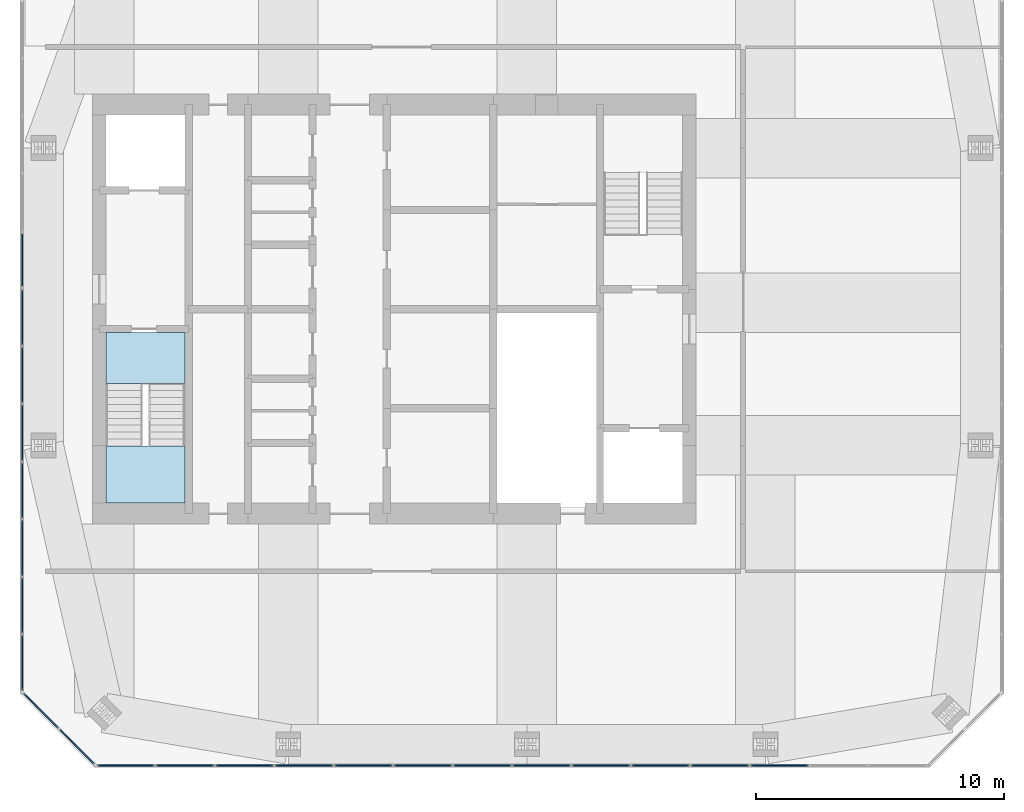
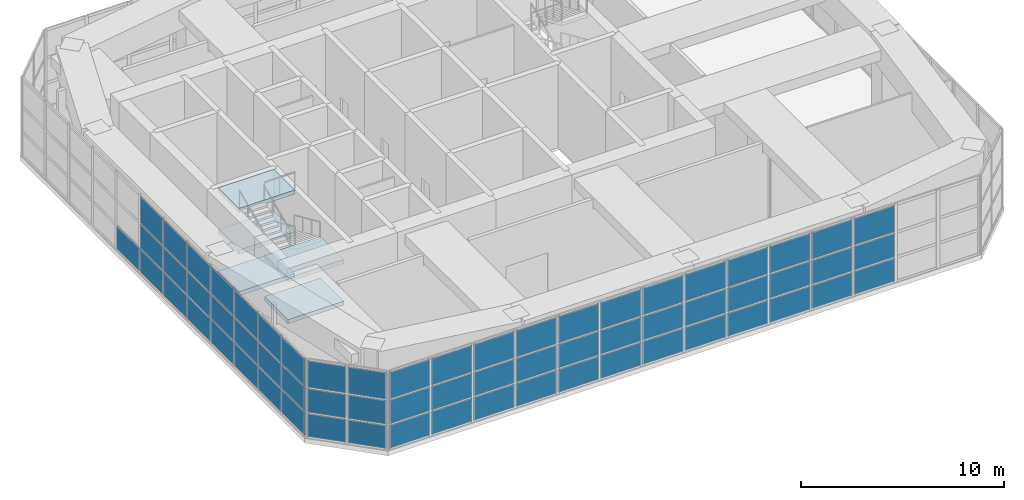
# One storey, part 8 of 14: 64 plates, 5 slabs, 4 elements without a shape of their own.
"""IFC4 building model written with IfcOpenShell, lengths in metres."""

from ifc_helpers import new_model, si_unit, direction, frame, origin, origin_2d, place, context, subcontext, project, spatial, polyline, rectangle, outline, extrude, material, layer, layer_set, type_object, element, aggregate, save


model = new_model("IFC4")

# Units and contexts
model_context = context("Model", 3, precision=1e-05, world=origin(), true_north=direction((0.0, 1.0)))
body_context = subcontext(model_context, "Body", "Model", "MODEL_VIEW")
ifc_project = project(units=[si_unit("LENGTHUNIT", "METRE"), si_unit("AREAUNIT", "SQUARE_METRE"), si_unit("VOLUMEUNIT", "CUBIC_METRE"), si_unit("PLANEANGLEUNIT", "RADIAN"), si_unit("MASSUNIT", "GRAM", prefix="KILO")], contexts=[model_context])

# Site, building, storey
site_placement = place(None, origin())
site = spatial("IfcSite", under=ifc_project, at=site_placement, CompositionType="ELEMENT")
building_placement = place(site_placement, origin())
building = spatial("IfcBuilding", under=site, at=building_placement, Name="Jalousie Tower", CompositionType="ELEMENT")
storey_placement = place(building_placement, frame((0.0, 0.0, 272.75)))
storey = spatial("IfcBuildingStorey", under=building, at=storey_placement, Name="L74", CompositionType="ELEMENT", Elevation=272.75)

# Curtain wall, plates
ifc_material_1 = material(Name="Aluminium curtain wall", Category="aluminium")
curtain_wall_type = type_object("IfcCurtainWallType", Name="CROWN LOUVRE WALL", PredefinedType="USERDEFINED", material=ifc_material_1)
curtain_wall_1_placement = place(storey_placement, origin())
curtain_wall_1 = element("IfcCurtainWall", 1, at=curtain_wall_1_placement, inside=storey, type_object=curtain_wall_type, Name="Crown Louvre Wall L74 1", ObjectType="CROWN LOUVRE WALL", PredefinedType="USERDEFINED")
ifc_material_2 = material(Name="Aluminium storm louvre panel", Category="aluminium")
ifc_layer_1 = layer(ifc_material_2, 0.050048828125)
ifc_layer_set_1 = layer_set([ifc_layer_1], Name="Aluminium storm louvre panel")
plate_type = type_object("IfcPlateType", Name="CROWN LOUVRE WALL PANEL", PredefinedType="CURTAIN_PANEL", material=ifc_layer_set_1)
plate_1_placement = place(storey_placement, frame((21.0712890625, 0.08740234375, 0.080078125), z_axis=(0.0, 0.0, 1.0), x_axis=(1.0, 0.0, 0.0)))
plate_1 = element("IfcPlate", 2, at=plate_1_placement, type_object=plate_type, Name="CW-L panel 1.1", PredefinedType="CURTAIN_PANEL", context=body_context, shape_type="SweptSolid", body=[
    extrude(rectangle(XDim=2.27978515625, YDim=0.050048828125, at=origin_2d()), origin(), (0.0, 0.0, 1.0), 1.3798828125),
])
plate_2_placement = place(storey_placement, frame((21.0712890625, 0.08740234375, 1.5400390625), z_axis=(0.0, 0.0, 1.0), x_axis=(1.0, 0.0, 0.0)))
plate_2 = element("IfcPlate", 3, at=plate_2_placement, type_object=plate_type, Name="CW-L panel 1.2", PredefinedType="CURTAIN_PANEL", context=body_context, shape_type="SweptSolid", body=[
    extrude(rectangle(XDim=2.27978515625, YDim=0.050048828125, at=origin_2d()), origin(), (0.0, 0.0, 1.0), 1.419921875),
])
plate_3_placement = place(storey_placement, frame((21.0712890625, 0.08740234375, 3.0400390625), z_axis=(0.0, 0.0, 1.0), x_axis=(1.0, 0.0, 0.0)))
plate_3 = element("IfcPlate", 4, at=plate_3_placement, type_object=plate_type, Name="CW-L panel 1.3", PredefinedType="CURTAIN_PANEL", context=body_context, shape_type="SweptSolid", body=[
    extrude(rectangle(XDim=2.27978515625, YDim=0.050048828125, at=origin_2d()), origin(), (0.0, 0.0, 1.0), 1.60009765625),
])
plate_4_placement = place(storey_placement, frame((23.450927734375, 0.08740234375, 0.080078125), z_axis=(0.0, 0.0, 1.0), x_axis=(1.0, 0.0, 0.0)))
plate_4 = element("IfcPlate", 5, at=plate_4_placement, type_object=plate_type, Name="CW-L panel 2.1", PredefinedType="CURTAIN_PANEL", context=body_context, shape_type="SweptSolid", body=[
    extrude(rectangle(XDim=2.31982421875, YDim=0.050048828125, at=origin_2d()), origin(), (0.0, 0.0, 1.0), 1.3798828125),
])
plate_5_placement = place(storey_placement, frame((23.450927734375, 0.08740234375, 1.5400390625), z_axis=(0.0, 0.0, 1.0), x_axis=(1.0, 0.0, 0.0)))
plate_5 = element("IfcPlate", 6, at=plate_5_placement, type_object=plate_type, Name="CW-L panel 2.2", PredefinedType="CURTAIN_PANEL", context=body_context, shape_type="SweptSolid", body=[
    extrude(rectangle(XDim=2.31982421875, YDim=0.050048828125, at=origin_2d()), origin(), (0.0, 0.0, 1.0), 1.419921875),
])
plate_6_placement = place(storey_placement, frame((23.450927734375, 0.08740234375, 3.0400390625), z_axis=(0.0, 0.0, 1.0), x_axis=(1.0, 0.0, 0.0)))
plate_6 = element("IfcPlate", 7, at=plate_6_placement, type_object=plate_type, Name="CW-L panel 2.3", PredefinedType="CURTAIN_PANEL", context=body_context, shape_type="SweptSolid", body=[
    extrude(rectangle(XDim=2.31982421875, YDim=0.050048828125, at=origin_2d()), origin(), (0.0, 0.0, 1.0), 1.60009765625),
])
plate_7_placement = place(storey_placement, frame((25.850830078125, 0.08740234375, 0.080078125), z_axis=(0.0, 0.0, 1.0), x_axis=(1.0, 0.0, 0.0)))
plate_7 = element("IfcPlate", 8, at=plate_7_placement, type_object=plate_type, Name="CW-L panel 3.1", PredefinedType="CURTAIN_PANEL", context=body_context, shape_type="SweptSolid", body=[
    extrude(rectangle(XDim=2.31982421875, YDim=0.050048828125, at=origin_2d()), origin(), (0.0, 0.0, 1.0), 1.3798828125),
])
plate_8_placement = place(storey_placement, frame((25.850830078125, 0.08740234375, 1.5400390625), z_axis=(0.0, 0.0, 1.0), x_axis=(1.0, 0.0, 0.0)))
plate_8 = element("IfcPlate", 9, at=plate_8_placement, type_object=plate_type, Name="CW-L panel 3.2", PredefinedType="CURTAIN_PANEL", context=body_context, shape_type="SweptSolid", body=[
    extrude(rectangle(XDim=2.31982421875, YDim=0.050048828125, at=origin_2d()), origin(), (0.0, 0.0, 1.0), 1.419921875),
])
plate_9_placement = place(storey_placement, frame((25.850830078125, 0.08740234375, 3.0400390625), z_axis=(0.0, 0.0, 1.0), x_axis=(1.0, 0.0, 0.0)))
plate_9 = element("IfcPlate", 10, at=plate_9_placement, type_object=plate_type, Name="CW-L panel 3.3", PredefinedType="CURTAIN_PANEL", context=body_context, shape_type="SweptSolid", body=[
    extrude(rectangle(XDim=2.31982421875, YDim=0.050048828125, at=origin_2d()), origin(), (0.0, 0.0, 1.0), 1.60009765625),
])
plate_10_placement = place(storey_placement, frame((28.250732421875, 0.08740234375, 0.080078125), z_axis=(0.0, 0.0, 1.0), x_axis=(1.0, 0.0, 0.0)))
plate_10 = element("IfcPlate", 11, at=plate_10_placement, type_object=plate_type, Name="CW-L panel 4.1", PredefinedType="CURTAIN_PANEL", context=body_context, shape_type="SweptSolid", body=[
    extrude(rectangle(XDim=2.31982421875, YDim=0.050048828125, at=origin_2d()), origin(), (0.0, 0.0, 1.0), 1.3798828125),
])
plate_11_placement = place(storey_placement, frame((28.250732421875, 0.08740234375, 1.5400390625), z_axis=(0.0, 0.0, 1.0), x_axis=(1.0, 0.0, 0.0)))
plate_11 = element("IfcPlate", 12, at=plate_11_placement, type_object=plate_type, Name="CW-L panel 4.2", PredefinedType="CURTAIN_PANEL", context=body_context, shape_type="SweptSolid", body=[
    extrude(rectangle(XDim=2.31982421875, YDim=0.050048828125, at=origin_2d()), origin(), (0.0, 0.0, 1.0), 1.419921875),
])
plate_12_placement = place(storey_placement, frame((28.250732421875, 0.08740234375, 3.0400390625), z_axis=(0.0, 0.0, 1.0), x_axis=(1.0, 0.0, 0.0)))
plate_12 = element("IfcPlate", 13, at=plate_12_placement, type_object=plate_type, Name="CW-L panel 4.3", PredefinedType="CURTAIN_PANEL", context=body_context, shape_type="SweptSolid", body=[
    extrude(rectangle(XDim=2.31982421875, YDim=0.050048828125, at=origin_2d()), origin(), (0.0, 0.0, 1.0), 1.60009765625),
])
plate_13_placement = place(storey_placement, frame((30.650390625, 0.08740234375, 0.080078125), z_axis=(0.0, 0.0, 1.0), x_axis=(1.0, 0.0, 0.0)))
plate_13 = element("IfcPlate", 14, at=plate_13_placement, type_object=plate_type, Name="CW-L panel 5.1", PredefinedType="CURTAIN_PANEL", context=body_context, shape_type="SweptSolid", body=[
    extrude(rectangle(XDim=2.31982421875, YDim=0.050048828125, at=origin_2d()), origin(), (0.0, 0.0, 1.0), 1.3798828125),
])
plate_14_placement = place(storey_placement, frame((30.650390625, 0.08740234375, 1.5400390625), z_axis=(0.0, 0.0, 1.0), x_axis=(1.0, 0.0, 0.0)))
plate_14 = element("IfcPlate", 15, at=plate_14_placement, type_object=plate_type, Name="CW-L panel 5.2", PredefinedType="CURTAIN_PANEL", context=body_context, shape_type="SweptSolid", body=[
    extrude(rectangle(XDim=2.31982421875, YDim=0.050048828125, at=origin_2d()), origin(), (0.0, 0.0, 1.0), 1.419921875),
])
plate_15_placement = place(storey_placement, frame((30.650390625, 0.08740234375, 3.0400390625), z_axis=(0.0, 0.0, 1.0), x_axis=(1.0, 0.0, 0.0)))
plate_15 = element("IfcPlate", 16, at=plate_15_placement, type_object=plate_type, Name="CW-L panel 5.3", PredefinedType="CURTAIN_PANEL", context=body_context, shape_type="SweptSolid", body=[
    extrude(rectangle(XDim=2.31982421875, YDim=0.050048828125, at=origin_2d()), origin(), (0.0, 0.0, 1.0), 1.60009765625),
])
plate_16_placement = place(storey_placement, frame((33.05029296875, 0.08740234375, 0.080078125), z_axis=(0.0, 0.0, 1.0), x_axis=(1.0, 0.0, 0.0)))
plate_16 = element("IfcPlate", 17, at=plate_16_placement, type_object=plate_type, Name="CW-L panel 6.1", PredefinedType="CURTAIN_PANEL", context=body_context, shape_type="SweptSolid", body=[
    extrude(rectangle(XDim=2.31982421875, YDim=0.050048828125, at=origin_2d()), origin(), (0.0, 0.0, 1.0), 1.3798828125),
])
plate_17_placement = place(storey_placement, frame((33.05029296875, 0.08740234375, 1.5400390625), z_axis=(0.0, 0.0, 1.0), x_axis=(1.0, 0.0, 0.0)))
plate_17 = element("IfcPlate", 18, at=plate_17_placement, type_object=plate_type, Name="CW-L panel 6.2", PredefinedType="CURTAIN_PANEL", context=body_context, shape_type="SweptSolid", body=[
    extrude(rectangle(XDim=2.31982421875, YDim=0.050048828125, at=origin_2d()), origin(), (0.0, 0.0, 1.0), 1.419921875),
])
plate_18_placement = place(storey_placement, frame((33.05029296875, 0.08740234375, 3.0400390625), z_axis=(0.0, 0.0, 1.0), x_axis=(1.0, 0.0, 0.0)))
plate_18 = element("IfcPlate", 19, at=plate_18_placement, type_object=plate_type, Name="CW-L panel 6.3", PredefinedType="CURTAIN_PANEL", context=body_context, shape_type="SweptSolid", body=[
    extrude(rectangle(XDim=2.31982421875, YDim=0.050048828125, at=origin_2d()), origin(), (0.0, 0.0, 1.0), 1.60009765625),
])
plate_19_placement = place(storey_placement, frame((35.4501953125, 0.08740234375, 0.080078125), z_axis=(0.0, 0.0, 1.0), x_axis=(1.0, 0.0, 0.0)))
plate_19 = element("IfcPlate", 20, at=plate_19_placement, type_object=plate_type, Name="CW-L panel 7.1", PredefinedType="CURTAIN_PANEL", context=body_context, shape_type="SweptSolid", body=[
    extrude(rectangle(XDim=2.31982421875, YDim=0.050048828125, at=origin_2d()), origin(), (0.0, 0.0, 1.0), 1.3798828125),
])
plate_20_placement = place(storey_placement, frame((35.4501953125, 0.08740234375, 1.5400390625), z_axis=(0.0, 0.0, 1.0), x_axis=(1.0, 0.0, 0.0)))
plate_20 = element("IfcPlate", 21, at=plate_20_placement, type_object=plate_type, Name="CW-L panel 7.2", PredefinedType="CURTAIN_PANEL", context=body_context, shape_type="SweptSolid", body=[
    extrude(rectangle(XDim=2.31982421875, YDim=0.050048828125, at=origin_2d()), origin(), (0.0, 0.0, 1.0), 1.419921875),
])
plate_21_placement = place(storey_placement, frame((35.4501953125, 0.08740234375, 3.0400390625), z_axis=(0.0, 0.0, 1.0), x_axis=(1.0, 0.0, 0.0)))
plate_21 = element("IfcPlate", 22, at=plate_21_placement, type_object=plate_type, Name="CW-L panel 7.3", PredefinedType="CURTAIN_PANEL", context=body_context, shape_type="SweptSolid", body=[
    extrude(rectangle(XDim=2.31982421875, YDim=0.050048828125, at=origin_2d()), origin(), (0.0, 0.0, 1.0), 1.60009765625),
])
plate_22_placement = place(storey_placement, frame((37.849853515625, 0.08740234375, 0.080078125), z_axis=(0.0, 0.0, 1.0), x_axis=(1.0, 0.0, 0.0)))
plate_22 = element("IfcPlate", 23, at=plate_22_placement, type_object=plate_type, Name="CW-L panel 8.1", PredefinedType="CURTAIN_PANEL", context=body_context, shape_type="SweptSolid", body=[
    extrude(rectangle(XDim=2.31982421875, YDim=0.050048828125, at=origin_2d()), origin(), (0.0, 0.0, 1.0), 1.3798828125),
])
plate_23_placement = place(storey_placement, frame((37.849853515625, 0.08740234375, 1.5400390625), z_axis=(0.0, 0.0, 1.0), x_axis=(1.0, 0.0, 0.0)))
plate_23 = element("IfcPlate", 24, at=plate_23_placement, type_object=plate_type, Name="CW-L panel 8.2", PredefinedType="CURTAIN_PANEL", context=body_context, shape_type="SweptSolid", body=[
    extrude(rectangle(XDim=2.31982421875, YDim=0.050048828125, at=origin_2d()), origin(), (0.0, 0.0, 1.0), 1.419921875),
])
plate_24_placement = place(storey_placement, frame((37.849853515625, 0.08740234375, 3.0400390625), z_axis=(0.0, 0.0, 1.0), x_axis=(1.0, 0.0, 0.0)))
plate_24 = element("IfcPlate", 25, at=plate_24_placement, type_object=plate_type, Name="CW-L panel 8.3", PredefinedType="CURTAIN_PANEL", context=body_context, shape_type="SweptSolid", body=[
    extrude(rectangle(XDim=2.31982421875, YDim=0.050048828125, at=origin_2d()), origin(), (0.0, 0.0, 1.0), 1.60009765625),
])
plate_25_placement = place(storey_placement, frame((40.249755859375, 0.08740234375, 0.080078125), z_axis=(0.0, 0.0, 1.0), x_axis=(1.0, 0.0, 0.0)))
plate_25 = element("IfcPlate", 26, at=plate_25_placement, type_object=plate_type, Name="CW-L panel 9.1", PredefinedType="CURTAIN_PANEL", context=body_context, shape_type="SweptSolid", body=[
    extrude(rectangle(XDim=2.31982421875, YDim=0.050048828125, at=origin_2d()), origin(), (0.0, 0.0, 1.0), 1.3798828125),
])
plate_26_placement = place(storey_placement, frame((40.249755859375, 0.08740234375, 1.5400390625), z_axis=(0.0, 0.0, 1.0), x_axis=(1.0, 0.0, 0.0)))
plate_26 = element("IfcPlate", 27, at=plate_26_placement, type_object=plate_type, Name="CW-L panel 9.2", PredefinedType="CURTAIN_PANEL", context=body_context, shape_type="SweptSolid", body=[
    extrude(rectangle(XDim=2.31982421875, YDim=0.050048828125, at=origin_2d()), origin(), (0.0, 0.0, 1.0), 1.419921875),
])
plate_27_placement = place(storey_placement, frame((40.249755859375, 0.08740234375, 3.0400390625), z_axis=(0.0, 0.0, 1.0), x_axis=(1.0, 0.0, 0.0)))
plate_27 = element("IfcPlate", 28, at=plate_27_placement, type_object=plate_type, Name="CW-L panel 9.3", PredefinedType="CURTAIN_PANEL", context=body_context, shape_type="SweptSolid", body=[
    extrude(rectangle(XDim=2.31982421875, YDim=0.050048828125, at=origin_2d()), origin(), (0.0, 0.0, 1.0), 1.60009765625),
])
plate_28_placement = place(storey_placement, frame((42.6494140625, 0.08740234375, 0.080078125), z_axis=(0.0, 0.0, 1.0), x_axis=(1.0, 0.0, 0.0)))
plate_28 = element("IfcPlate", 29, at=plate_28_placement, type_object=plate_type, Name="CW-L panel 10.1", PredefinedType="CURTAIN_PANEL", context=body_context, shape_type="SweptSolid", body=[
    extrude(rectangle(XDim=2.31982421875, YDim=0.050048828125, at=origin_2d()), origin(), (0.0, 0.0, 1.0), 1.3798828125),
])
plate_29_placement = place(storey_placement, frame((42.6494140625, 0.08740234375, 1.5400390625), z_axis=(0.0, 0.0, 1.0), x_axis=(1.0, 0.0, 0.0)))
plate_29 = element("IfcPlate", 30, at=plate_29_placement, type_object=plate_type, Name="CW-L panel 10.2", PredefinedType="CURTAIN_PANEL", context=body_context, shape_type="SweptSolid", body=[
    extrude(rectangle(XDim=2.31982421875, YDim=0.050048828125, at=origin_2d()), origin(), (0.0, 0.0, 1.0), 1.419921875),
])
plate_30_placement = place(storey_placement, frame((42.6494140625, 0.08740234375, 3.0400390625), z_axis=(0.0, 0.0, 1.0), x_axis=(1.0, 0.0, 0.0)))
plate_30 = element("IfcPlate", 31, at=plate_30_placement, type_object=plate_type, Name="CW-L panel 10.3", PredefinedType="CURTAIN_PANEL", context=body_context, shape_type="SweptSolid", body=[
    extrude(rectangle(XDim=2.31982421875, YDim=0.050048828125, at=origin_2d()), origin(), (0.0, 0.0, 1.0), 1.60009765625),
])
plate_31_placement = place(storey_placement, frame((45.04931640625, 0.08740234375, 0.080078125), z_axis=(0.0, 0.0, 1.0), x_axis=(1.0, 0.0, 0.0)))
plate_31 = element("IfcPlate", 32, at=plate_31_placement, type_object=plate_type, Name="CW-L panel 11.1", PredefinedType="CURTAIN_PANEL", context=body_context, shape_type="SweptSolid", body=[
    extrude(rectangle(XDim=2.31982421875, YDim=0.050048828125, at=origin_2d()), origin(), (0.0, 0.0, 1.0), 1.3798828125),
])
plate_32_placement = place(storey_placement, frame((45.04931640625, 0.08740234375, 1.5400390625), z_axis=(0.0, 0.0, 1.0), x_axis=(1.0, 0.0, 0.0)))
plate_32 = element("IfcPlate", 33, at=plate_32_placement, type_object=plate_type, Name="CW-L panel 11.2", PredefinedType="CURTAIN_PANEL", context=body_context, shape_type="SweptSolid", body=[
    extrude(rectangle(XDim=2.31982421875, YDim=0.050048828125, at=origin_2d()), origin(), (0.0, 0.0, 1.0), 1.419921875),
])
plate_33_placement = place(storey_placement, frame((45.04931640625, 0.08740234375, 3.0400390625), z_axis=(0.0, 0.0, 1.0), x_axis=(1.0, 0.0, 0.0)))
plate_33 = element("IfcPlate", 34, at=plate_33_placement, type_object=plate_type, Name="CW-L panel 11.3", PredefinedType="CURTAIN_PANEL", context=body_context, shape_type="SweptSolid", body=[
    extrude(rectangle(XDim=2.31982421875, YDim=0.050048828125, at=origin_2d()), origin(), (0.0, 0.0, 1.0), 1.60009765625),
])
plate_34_placement = place(storey_placement, frame((47.44921875, 0.08740234375, 0.080078125), z_axis=(0.0, 0.0, 1.0), x_axis=(1.0, 0.0, 0.0)))
plate_34 = element("IfcPlate", 35, at=plate_34_placement, type_object=plate_type, Name="CW-L panel 12.1", PredefinedType="CURTAIN_PANEL", context=body_context, shape_type="SweptSolid", body=[
    extrude(rectangle(XDim=2.31982421875, YDim=0.050048828125, at=origin_2d()), origin(), (0.0, 0.0, 1.0), 1.3798828125),
])
plate_35_placement = place(storey_placement, frame((47.44921875, 0.08740234375, 1.5400390625), z_axis=(0.0, 0.0, 1.0), x_axis=(1.0, 0.0, 0.0)))
plate_35 = element("IfcPlate", 36, at=plate_35_placement, type_object=plate_type, Name="CW-L panel 12.2", PredefinedType="CURTAIN_PANEL", context=body_context, shape_type="SweptSolid", body=[
    extrude(rectangle(XDim=2.31982421875, YDim=0.050048828125, at=origin_2d()), origin(), (0.0, 0.0, 1.0), 1.419921875),
])
plate_36_placement = place(storey_placement, frame((47.44921875, 0.08740234375, 3.0400390625), z_axis=(0.0, 0.0, 1.0), x_axis=(1.0, 0.0, 0.0)))
plate_36 = element("IfcPlate", 37, at=plate_36_placement, type_object=plate_type, Name="CW-L panel 12.3", PredefinedType="CURTAIN_PANEL", context=body_context, shape_type="SweptSolid", body=[
    extrude(rectangle(XDim=2.31982421875, YDim=0.050048828125, at=origin_2d()), origin(), (0.0, 0.0, 1.0), 1.60009765625),
])
aggregate(curtain_wall_1, [plate_1, plate_2, plate_3, plate_4, plate_5, plate_6, plate_7, plate_8, plate_9, plate_10, plate_11, plate_12, plate_13, plate_14, plate_15, plate_16, plate_17, plate_18, plate_19, plate_20, plate_21, plate_22, plate_23, plate_24, plate_25, plate_26, plate_27, plate_28, plate_29, plate_30, plate_31, plate_32, plate_33, plate_34, plate_35, plate_36])

curtain_wall_2_placement = place(storey_placement, origin())
curtain_wall_2 = element("IfcCurtainWall", 38, at=curtain_wall_2_placement, inside=storey, type_object=curtain_wall_type, Name="Crown Louvre Wall L74 7", ObjectType="CROWN LOUVRE WALL", PredefinedType="USERDEFINED")
plate_37_placement = place(storey_placement, frame((16.887451171875, 20.487060546875, 0.080078125), z_axis=(0.0, 0.0, 1.0), x_axis=(0.0, -1.0, 0.0)))
plate_37 = element("IfcPlate", 39, at=plate_37_placement, type_object=plate_type, Name="CW-L panel 5.1", PredefinedType="CURTAIN_PANEL", context=body_context, shape_type="SweptSolid", body=[
    extrude(rectangle(XDim=2.244873046875, YDim=0.050048828125, at=origin_2d()), origin(), (0.0, 0.0, 1.0), 1.3798828125),
])
plate_38_placement = place(storey_placement, frame((16.887451171875, 18.162353515625, 0.080078125), z_axis=(0.0, 0.0, 1.0), x_axis=(0.0, -1.0, 0.0)))
plate_38 = element("IfcPlate", 40, at=plate_38_placement, type_object=plate_type, Name="CW-L panel 6.1", PredefinedType="CURTAIN_PANEL", context=body_context, shape_type="SweptSolid", body=[
    extrude(rectangle(XDim=2.244873046875, YDim=0.050048828125, at=origin_2d()), origin(), (0.0, 0.0, 1.0), 1.3798828125),
])
plate_39_placement = place(storey_placement, frame((16.887451171875, 18.162353515625, 1.5400390625), z_axis=(0.0, 0.0, 1.0), x_axis=(0.0, -1.0, 0.0)))
plate_39 = element("IfcPlate", 41, at=plate_39_placement, type_object=plate_type, Name="CW-L panel 6.2", PredefinedType="CURTAIN_PANEL", context=body_context, shape_type="SweptSolid", body=[
    extrude(rectangle(XDim=2.244873046875, YDim=0.050048828125, at=origin_2d()), origin(), (0.0, 0.0, 1.0), 1.419921875),
])
plate_40_placement = place(storey_placement, frame((16.887451171875, 18.162353515625, 3.0400390625), z_axis=(0.0, 0.0, 1.0), x_axis=(0.0, -1.0, 0.0)))
plate_40 = element("IfcPlate", 42, at=plate_40_placement, type_object=plate_type, Name="CW-L panel 6.3", PredefinedType="CURTAIN_PANEL", context=body_context, shape_type="SweptSolid", body=[
    extrude(rectangle(XDim=2.244873046875, YDim=0.050048828125, at=origin_2d()), origin(), (0.0, 0.0, 1.0), 1.60009765625),
])
plate_41_placement = place(storey_placement, frame((16.887451171875, 15.837646484375, 0.080078125), z_axis=(0.0, 0.0, 1.0), x_axis=(0.0, -1.0, 0.0)))
plate_41 = element("IfcPlate", 43, at=plate_41_placement, type_object=plate_type, Name="CW-L panel 7.1", PredefinedType="CURTAIN_PANEL", context=body_context, shape_type="SweptSolid", body=[
    extrude(rectangle(XDim=2.244873046875, YDim=0.050048828125, at=origin_2d()), origin(), (0.0, 0.0, 1.0), 1.3798828125),
])
plate_42_placement = place(storey_placement, frame((16.887451171875, 15.837646484375, 1.5400390625), z_axis=(0.0, 0.0, 1.0), x_axis=(0.0, -1.0, 0.0)))
plate_42 = element("IfcPlate", 44, at=plate_42_placement, type_object=plate_type, Name="CW-L panel 7.2", PredefinedType="CURTAIN_PANEL", context=body_context, shape_type="SweptSolid", body=[
    extrude(rectangle(XDim=2.244873046875, YDim=0.050048828125, at=origin_2d()), origin(), (0.0, 0.0, 1.0), 1.419921875),
])
plate_43_placement = place(storey_placement, frame((16.887451171875, 15.837646484375, 3.0400390625), z_axis=(0.0, 0.0, 1.0), x_axis=(0.0, -1.0, 0.0)))
plate_43 = element("IfcPlate", 45, at=plate_43_placement, type_object=plate_type, Name="CW-L panel 7.3", PredefinedType="CURTAIN_PANEL", context=body_context, shape_type="SweptSolid", body=[
    extrude(rectangle(XDim=2.244873046875, YDim=0.050048828125, at=origin_2d()), origin(), (0.0, 0.0, 1.0), 1.60009765625),
])
plate_44_placement = place(storey_placement, frame((16.887451171875, 13.512939453125, 0.080078125), z_axis=(0.0, 0.0, 1.0), x_axis=(0.0, -1.0, 0.0)))
plate_44 = element("IfcPlate", 46, at=plate_44_placement, type_object=plate_type, Name="CW-L panel 8.1", PredefinedType="CURTAIN_PANEL", context=body_context, shape_type="SweptSolid", body=[
    extrude(rectangle(XDim=2.244873046875, YDim=0.050048828125, at=origin_2d()), origin(), (0.0, 0.0, 1.0), 1.3798828125),
])
plate_45_placement = place(storey_placement, frame((16.887451171875, 13.512939453125, 1.5400390625), z_axis=(0.0, 0.0, 1.0), x_axis=(0.0, -1.0, 0.0)))
plate_45 = element("IfcPlate", 47, at=plate_45_placement, type_object=plate_type, Name="CW-L panel 8.2", PredefinedType="CURTAIN_PANEL", context=body_context, shape_type="SweptSolid", body=[
    extrude(rectangle(XDim=2.244873046875, YDim=0.050048828125, at=origin_2d()), origin(), (0.0, 0.0, 1.0), 1.419921875),
])
plate_46_placement = place(storey_placement, frame((16.887451171875, 13.512939453125, 3.0400390625), z_axis=(0.0, 0.0, 1.0), x_axis=(0.0, -1.0, 0.0)))
plate_46 = element("IfcPlate", 48, at=plate_46_placement, type_object=plate_type, Name="CW-L panel 8.3", PredefinedType="CURTAIN_PANEL", context=body_context, shape_type="SweptSolid", body=[
    extrude(rectangle(XDim=2.244873046875, YDim=0.050048828125, at=origin_2d()), origin(), (0.0, 0.0, 1.0), 1.60009765625),
])
plate_47_placement = place(storey_placement, frame((16.887451171875, 11.18798828125, 0.080078125), z_axis=(0.0, 0.0, 1.0), x_axis=(0.0, -1.0, 0.0)))
plate_47 = element("IfcPlate", 49, at=plate_47_placement, type_object=plate_type, Name="CW-L panel 9.1", PredefinedType="CURTAIN_PANEL", context=body_context, shape_type="SweptSolid", body=[
    extrude(rectangle(XDim=2.244873046875, YDim=0.050048828125, at=origin_2d()), origin(), (0.0, 0.0, 1.0), 1.3798828125),
])
plate_48_placement = place(storey_placement, frame((16.887451171875, 11.18798828125, 1.5400390625), z_axis=(0.0, 0.0, 1.0), x_axis=(0.0, -1.0, 0.0)))
plate_48 = element("IfcPlate", 50, at=plate_48_placement, type_object=plate_type, Name="CW-L panel 9.2", PredefinedType="CURTAIN_PANEL", context=body_context, shape_type="SweptSolid", body=[
    extrude(rectangle(XDim=2.244873046875, YDim=0.050048828125, at=origin_2d()), origin(), (0.0, 0.0, 1.0), 1.419921875),
])
plate_49_placement = place(storey_placement, frame((16.887451171875, 11.18798828125, 3.0400390625), z_axis=(0.0, 0.0, 1.0), x_axis=(0.0, -1.0, 0.0)))
plate_49 = element("IfcPlate", 51, at=plate_49_placement, type_object=plate_type, Name="CW-L panel 9.3", PredefinedType="CURTAIN_PANEL", context=body_context, shape_type="SweptSolid", body=[
    extrude(rectangle(XDim=2.244873046875, YDim=0.050048828125, at=origin_2d()), origin(), (0.0, 0.0, 1.0), 1.60009765625),
])
plate_50_placement = place(storey_placement, frame((16.887451171875, 8.86328125, 0.080078125), z_axis=(0.0, 0.0, 1.0), x_axis=(0.0, -1.0, 0.0)))
plate_50 = element("IfcPlate", 52, at=plate_50_placement, type_object=plate_type, Name="CW-L panel 10.1", PredefinedType="CURTAIN_PANEL", context=body_context, shape_type="SweptSolid", body=[
    extrude(rectangle(XDim=2.244873046875, YDim=0.050048828125, at=origin_2d()), origin(), (0.0, 0.0, 1.0), 1.3798828125),
])
plate_51_placement = place(storey_placement, frame((16.887451171875, 8.86328125, 1.5400390625), z_axis=(0.0, 0.0, 1.0), x_axis=(0.0, -1.0, 0.0)))
plate_51 = element("IfcPlate", 53, at=plate_51_placement, type_object=plate_type, Name="CW-L panel 10.2", PredefinedType="CURTAIN_PANEL", context=body_context, shape_type="SweptSolid", body=[
    extrude(rectangle(XDim=2.244873046875, YDim=0.050048828125, at=origin_2d()), origin(), (0.0, 0.0, 1.0), 1.419921875),
])
plate_52_placement = place(storey_placement, frame((16.887451171875, 8.86328125, 3.0400390625), z_axis=(0.0, 0.0, 1.0), x_axis=(0.0, -1.0, 0.0)))
plate_52 = element("IfcPlate", 54, at=plate_52_placement, type_object=plate_type, Name="CW-L panel 10.3", PredefinedType="CURTAIN_PANEL", context=body_context, shape_type="SweptSolid", body=[
    extrude(rectangle(XDim=2.244873046875, YDim=0.050048828125, at=origin_2d()), origin(), (0.0, 0.0, 1.0), 1.60009765625),
])
plate_53_placement = place(storey_placement, frame((16.887451171875, 6.53857421875, 0.080078125), z_axis=(0.0, 0.0, 1.0), x_axis=(0.0, -1.0, 0.0)))
plate_53 = element("IfcPlate", 55, at=plate_53_placement, type_object=plate_type, Name="CW-L panel 11.1", PredefinedType="CURTAIN_PANEL", context=body_context, shape_type="SweptSolid", body=[
    extrude(rectangle(XDim=2.244873046875, YDim=0.050048828125, at=origin_2d()), origin(), (0.0, 0.0, 1.0), 1.3798828125),
])
plate_54_placement = place(storey_placement, frame((16.887451171875, 6.53857421875, 1.5400390625), z_axis=(0.0, 0.0, 1.0), x_axis=(0.0, -1.0, 0.0)))
plate_54 = element("IfcPlate", 56, at=plate_54_placement, type_object=plate_type, Name="CW-L panel 11.2", PredefinedType="CURTAIN_PANEL", context=body_context, shape_type="SweptSolid", body=[
    extrude(rectangle(XDim=2.244873046875, YDim=0.050048828125, at=origin_2d()), origin(), (0.0, 0.0, 1.0), 1.419921875),
])
plate_55_placement = place(storey_placement, frame((16.887451171875, 6.53857421875, 3.0400390625), z_axis=(0.0, 0.0, 1.0), x_axis=(0.0, -1.0, 0.0)))
plate_55 = element("IfcPlate", 57, at=plate_55_placement, type_object=plate_type, Name="CW-L panel 11.3", PredefinedType="CURTAIN_PANEL", context=body_context, shape_type="SweptSolid", body=[
    extrude(rectangle(XDim=2.244873046875, YDim=0.050048828125, at=origin_2d()), origin(), (0.0, 0.0, 1.0), 1.60009765625),
])
plate_56_placement = place(storey_placement, frame((16.887451171875, 4.233642578125, 0.080078125), z_axis=(0.0, 0.0, 1.0), x_axis=(0.0, -1.0, 0.0)))
plate_56 = element("IfcPlate", 58, at=plate_56_placement, type_object=plate_type, Name="CW-L panel 12.1", PredefinedType="CURTAIN_PANEL", context=body_context, shape_type="SweptSolid", body=[
    extrude(rectangle(XDim=2.204833984375, YDim=0.050048828125, at=origin_2d()), origin(), (0.0, 0.0, 1.0), 1.3798828125),
])
plate_57_placement = place(storey_placement, frame((16.887451171875, 4.233642578125, 1.5400390625), z_axis=(0.0, 0.0, 1.0), x_axis=(0.0, -1.0, 0.0)))
plate_57 = element("IfcPlate", 59, at=plate_57_placement, type_object=plate_type, Name="CW-L panel 12.2", PredefinedType="CURTAIN_PANEL", context=body_context, shape_type="SweptSolid", body=[
    extrude(rectangle(XDim=2.204833984375, YDim=0.050048828125, at=origin_2d()), origin(), (0.0, 0.0, 1.0), 1.419921875),
])
plate_58_placement = place(storey_placement, frame((16.887451171875, 4.233642578125, 3.0400390625), z_axis=(0.0, 0.0, 1.0), x_axis=(0.0, -1.0, 0.0)))
plate_58 = element("IfcPlate", 60, at=plate_58_placement, type_object=plate_type, Name="CW-L panel 12.3", PredefinedType="CURTAIN_PANEL", context=body_context, shape_type="SweptSolid", body=[
    extrude(rectangle(XDim=2.204833984375, YDim=0.050048828125, at=origin_2d()), origin(), (0.0, 0.0, 1.0), 1.60009765625),
])
aggregate(curtain_wall_2, [plate_37, plate_38, plate_39, plate_40, plate_41, plate_42, plate_43, plate_44, plate_45, plate_46, plate_47, plate_48, plate_49, plate_50, plate_51, plate_52, plate_53, plate_54, plate_55, plate_56, plate_57, plate_58])

curtain_wall_3_placement = place(storey_placement, origin())
curtain_wall_3 = element("IfcCurtainWall", 61, at=curtain_wall_3_placement, inside=storey, type_object=curtain_wall_type, Name="Crown Louvre Wall L74 8", ObjectType="CROWN LOUVRE WALL", PredefinedType="USERDEFINED")
plate_59_placement = place(storey_placement, frame((17.642578125, 2.296142578125, 0.080078125), z_axis=(0.0, 0.0, 1.0), x_axis=(0.707106781187, -0.707106781187, 0.0)))
plate_59 = element("IfcPlate", 62, at=plate_59_placement, type_object=plate_type, Name="CW-L panel 1.1", PredefinedType="CURTAIN_PANEL", context=body_context, shape_type="SweptSolid", body=[
    extrude(rectangle(XDim=1.975830078125, YDim=0.050048828125, at=origin_2d()), origin(), (0.0, 0.0, 1.0), 1.3798828125),
])
plate_60_placement = place(storey_placement, frame((17.642578125, 2.296142578125, 1.5400390625), z_axis=(0.0, 0.0, 1.0), x_axis=(0.707106781187, -0.707106781187, 0.0)))
plate_60 = element("IfcPlate", 63, at=plate_60_placement, type_object=plate_type, Name="CW-L panel 1.2", PredefinedType="CURTAIN_PANEL", context=body_context, shape_type="SweptSolid", body=[
    extrude(rectangle(XDim=1.975830078125, YDim=0.050048828125, at=origin_2d()), origin(), (0.0, 0.0, 1.0), 1.419921875),
])
plate_61_placement = place(storey_placement, frame((17.642578125, 2.296142578125, 3.0400390625), z_axis=(0.0, 0.0, 1.0), x_axis=(0.707106781187, -0.707106781187, 0.0)))
plate_61 = element("IfcPlate", 64, at=plate_61_placement, type_object=plate_type, Name="CW-L panel 1.3", PredefinedType="CURTAIN_PANEL", context=body_context, shape_type="SweptSolid", body=[
    extrude(rectangle(XDim=1.975830078125, YDim=0.050048828125, at=origin_2d()), origin(), (0.0, 0.0, 1.0), 1.60009765625),
])
plate_62_placement = place(storey_placement, frame((19.09619140625, 0.842529296875, 0.080078125), z_axis=(0.0, 0.0, 1.0), x_axis=(0.707106781187, -0.707106781187, 0.0)))
plate_62 = element("IfcPlate", 65, at=plate_62_placement, type_object=plate_type, Name="CW-L panel 2.1", PredefinedType="CURTAIN_PANEL", context=body_context, shape_type="SweptSolid", body=[
    extrude(rectangle(XDim=1.975830078125, YDim=0.050048828125, at=origin_2d()), origin(), (0.0, 0.0, 1.0), 1.3798828125),
])
plate_63_placement = place(storey_placement, frame((19.09619140625, 0.842529296875, 1.5400390625), z_axis=(0.0, 0.0, 1.0), x_axis=(0.707106781187, -0.707106781187, 0.0)))
plate_63 = element("IfcPlate", 66, at=plate_63_placement, type_object=plate_type, Name="CW-L panel 2.2", PredefinedType="CURTAIN_PANEL", context=body_context, shape_type="SweptSolid", body=[
    extrude(rectangle(XDim=1.975830078125, YDim=0.050048828125, at=origin_2d()), origin(), (0.0, 0.0, 1.0), 1.419921875),
])
plate_64_placement = place(storey_placement, frame((19.09619140625, 0.842529296875, 3.0400390625), z_axis=(0.0, 0.0, 1.0), x_axis=(0.707106781187, -0.707106781187, 0.0)))
plate_64 = element("IfcPlate", 67, at=plate_64_placement, type_object=plate_type, Name="CW-L panel 2.3", PredefinedType="CURTAIN_PANEL", context=body_context, shape_type="SweptSolid", body=[
    extrude(rectangle(XDim=1.975830078125, YDim=0.050048828125, at=origin_2d()), origin(), (0.0, 0.0, 1.0), 1.60009765625),
])
aggregate(curtain_wall_3, [plate_59, plate_60, plate_61, plate_62, plate_63, plate_64])

# Stair, slabs
ifc_material_3 = material(Name="Concrete f'c 40 MPa", Category="concrete")
stair_type = type_object("IfcStairType", Name="EXIT STAIR", PredefinedType="HALF_TURN_STAIR", material=ifc_material_3)
stair_placement = place(storey_placement, origin())
stair = element("IfcStair", 68, at=stair_placement, inside=storey, type_object=stair_type, Name="Exit stair A L74", PredefinedType="HALF_TURN_STAIR")
ifc_material_4 = material(Name="Concrete f'c 40 MPa", Category="concrete")
ifc_layer_2 = layer(ifc_material_4, 0.25)
ifc_layer_set_2 = layer_set([ifc_layer_2], Name="Concrete f'c 40 MPa")
slab_type = type_object("IfcSlabType", Name="STAIR LANDING 250", PredefinedType="LANDING", material=ifc_layer_set_2)
slab_1_placement = place(storey_placement, frame((0.0, 0.0, -0.25)))
slab_1 = element("IfcSlab", 69, at=slab_1_placement, type_object=slab_type, Name="ST-A landing 1", PredefinedType="LANDING", context=body_context, shape_type="SweptSolid", body=[
    extrude(outline(polyline([(20.27490234375, 15.49755859375), (23.449951171875, 15.49755859375), (23.449951171875, 17.550048828125), (20.27490234375, 17.550048828125), (20.27490234375, 15.49755859375)])), origin(), (0.0, 0.0, 1.0), 0.25),
])
slab_2_placement = place(storey_placement, frame((0.0, 0.0, 1.0)))
slab_2 = element("IfcSlab", 70, at=slab_2_placement, type_object=slab_type, Name="ST-A landing 2", PredefinedType="LANDING", context=body_context, shape_type="SweptSolid", body=[
    extrude(outline(polyline([(20.27490234375, 10.675048828125), (23.449951171875, 10.675048828125), (23.449951171875, 12.9775390625), (20.27490234375, 12.9775390625), (20.27490234375, 10.675048828125)])), origin(), (0.0, 0.0, 1.0), 0.25),
])
slab_3_placement = place(storey_placement, frame((0.0, 0.0, 2.25)))
slab_3 = element("IfcSlab", 71, at=slab_3_placement, type_object=slab_type, Name="ST-A landing 3", PredefinedType="LANDING", context=body_context, shape_type="SweptSolid", body=[
    extrude(outline(polyline([(20.27490234375, 15.49755859375), (23.449951171875, 15.49755859375), (23.449951171875, 17.550048828125), (20.27490234375, 17.550048828125), (20.27490234375, 15.49755859375)])), origin(), (0.0, 0.0, 1.0), 0.25),
])
slab_4_placement = place(storey_placement, frame((0.0, 0.0, 3.5)))
slab_4 = element("IfcSlab", 72, at=slab_4_placement, type_object=slab_type, Name="ST-A landing 4", PredefinedType="LANDING", context=body_context, shape_type="SweptSolid", body=[
    extrude(outline(polyline([(20.27490234375, 10.675048828125), (23.449951171875, 10.675048828125), (23.449951171875, 12.9775390625), (20.27490234375, 12.9775390625), (20.27490234375, 10.675048828125)])), origin(), (0.0, 0.0, 1.0), 0.25),
])
slab_5_placement = place(storey_placement, frame((0.0, 0.0, 4.75)))
slab_5 = element("IfcSlab", 73, at=slab_5_placement, type_object=slab_type, Name="ST-A landing 5", PredefinedType="LANDING", context=body_context, shape_type="SweptSolid", body=[
    extrude(outline(polyline([(20.27490234375, 15.49755859375), (23.449951171875, 15.49755859375), (23.449951171875, 17.550048828125), (20.27490234375, 17.550048828125), (20.27490234375, 15.49755859375)])), origin(), (0.0, 0.0, 1.0), 0.25),
])
aggregate(stair, [slab_1, slab_2, slab_3, slab_4, slab_5])

save(model, "model.ifc")
